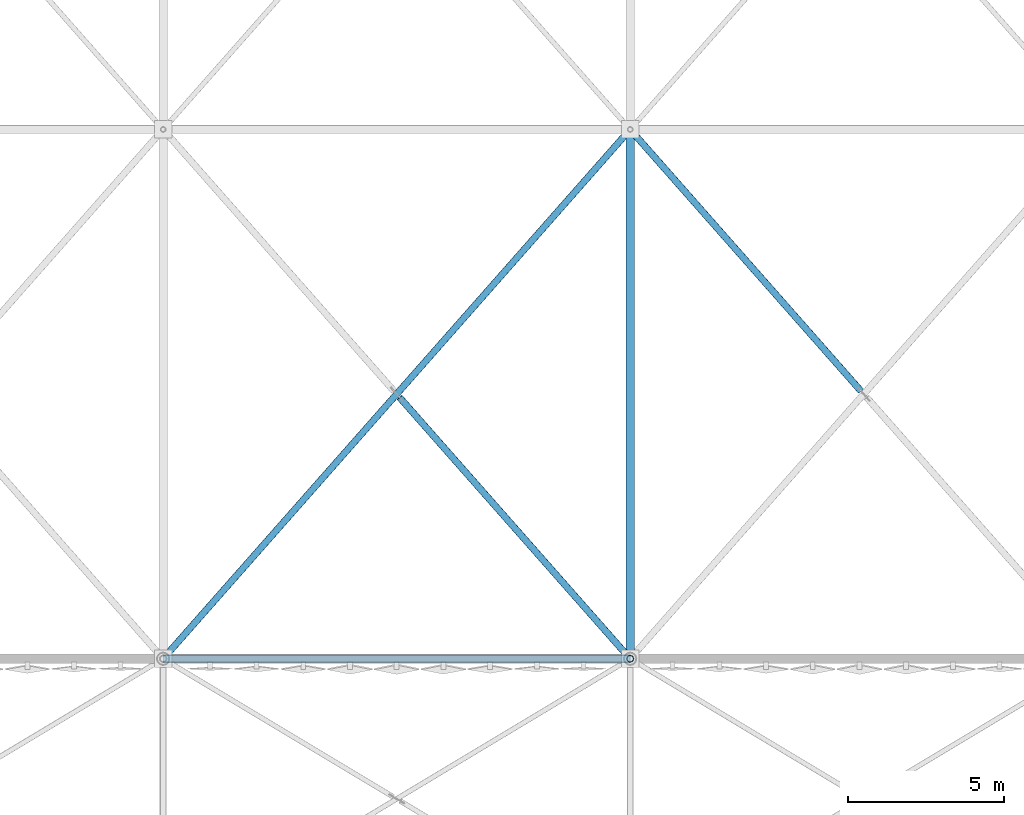
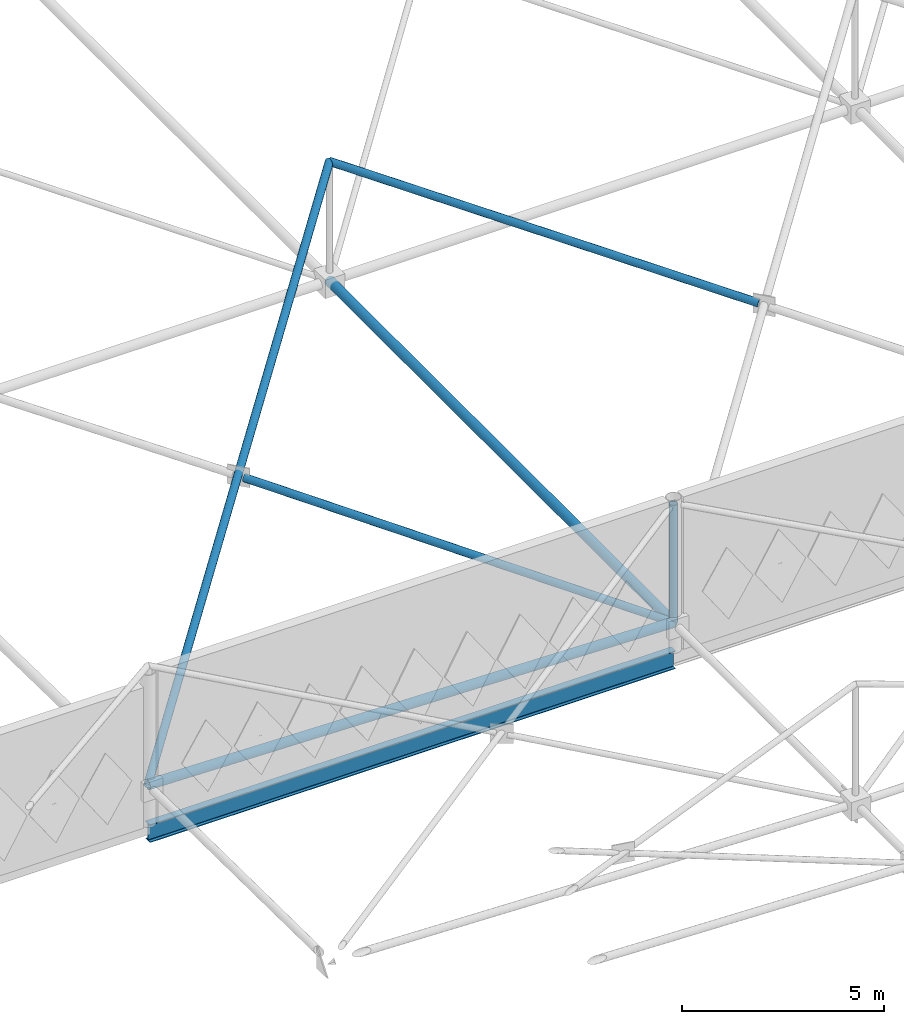
# One storey, part 29 of 224: 6 members, 1 beam.
"""IFC4 building model written with IfcOpenShell, lengths in metres."""

from ifc_helpers import new_model, si_unit, direction, frame, origin, origin_2d, place, context, subcontext, project, spatial, hollow_circle, i_section, extrude, material, material_profile, profile_set, type_object, element, save


model = new_model("IFC4")

# Units and contexts
model_context = context("Model", 3, precision=1e-05, world=origin(), true_north=direction((0.0, 1.0)))
body_context = subcontext(model_context, "Body", "Model", "MODEL_VIEW")
ifc_project = project(units=[si_unit("LENGTHUNIT", "METRE"), si_unit("AREAUNIT", "SQUARE_METRE"), si_unit("VOLUMEUNIT", "CUBIC_METRE"), si_unit("PLANEANGLEUNIT", "RADIAN"), si_unit("MASSUNIT", "GRAM", prefix="KILO")], contexts=[model_context])

# Site, building, storey
site_placement = place(None, origin())
site = spatial("IfcSite", under=ifc_project, at=site_placement, CompositionType="ELEMENT")
building_placement = place(site_placement, origin())
building = spatial("IfcBuilding", under=site, at=building_placement, Name="Qamarlyn Nura Convention Centre", CompositionType="ELEMENT")
storey_placement = place(building_placement, frame((0.0, 0.0, 10.800048828125)))
storey = spatial("IfcBuildingStorey", under=building, at=storey_placement, Name="L02", CompositionType="ELEMENT", Elevation=10.800048828125)

# Beam
ifc_material_1 = material(Name="Steel ASTM A992", Category="steel")
ifc_material_profile_1 = material_profile(ifc_material_1, i_section(OverallWidth=0.2109375, OverallDepth=0.5390625, WebThickness=0.01171875, FlangeThickness=0.018798828125, FilletRadius=0.013916015625, at=origin_2d()), Name="W530X109")
ifc_profile_set_1 = profile_set([ifc_material_profile_1], Name="Steel ASTM A992")
beam_type = type_object("IfcBeamType", Name="BM-SPAN-530", PredefinedType="SPANDREL", material=ifc_profile_set_1)
beam_placement = place(storey_placement, frame((30.0, 18.0, -0.26953125), z_axis=(1.0, 0.0, 0.0), x_axis=(0.0, 1.0, 0.0)))
element("IfcBeam", 1, at=beam_placement, inside=storey, type_object=beam_type, Name="L02 girder C 3-4", PredefinedType="SPANDREL", context=body_context, shape_type="SweptSolid", body=[
    extrude(i_section(OverallWidth=0.2109375, OverallDepth=0.5390625, WebThickness=0.01171875, FlangeThickness=0.018798828125, FilletRadius=0.013916015625, at=origin_2d()), origin(), (0.0, 0.0, 1.0), 15.0),
])

# Members
ifc_material_2 = material(Name="Pearl-white PVDF steel ASTM A500 Grade C", Category="steel")
ifc_material_profile_2 = material_profile(ifc_material_2, hollow_circle(Radius=0.136474609375, WallThickness=0.012451171875, at=origin_2d()), Name="CHS273X12.5")
ifc_profile_set_2 = profile_set([ifc_material_profile_2], Name="Pearl-white PVDF steel ASTM A500 Grade C")
member_type_1 = type_object("IfcMemberType", Name="SF-BC-MAIN", PredefinedType="CHORD", material=ifc_profile_set_2)
member_1_placement = place(storey_placement, frame((30.0, 18.0, 1.150634765625), z_axis=(0.999726977409, 0.0, -0.023366014641), x_axis=(0.0, 1.0, 0.0)))
element("IfcMember", 2, at=member_1_placement, inside=storey, type_object=member_type_1, Name="ROOF TRUSS space frame bottom chord X4-2", PredefinedType="CHORD", context=body_context, shape_type="SweptSolid", body=[
    extrude(hollow_circle(Radius=0.136474609375, WallThickness=0.012451171875, at=origin_2d()), origin(), (0.0, 0.0, 1.0), 15.004150390625),
])
member_2_placement = place(storey_placement, frame((45.0, 18.0, 0.800048828125), z_axis=(0.0, 1.0, 0.0), x_axis=(-1.0, 0.0, 0.0)))
element("IfcMember", 3, at=member_2_placement, inside=storey, type_object=member_type_1, Name="ROOF TRUSS space frame bottom chord Y5-2", PredefinedType="CHORD", context=body_context, shape_type="SweptSolid", body=[
    extrude(hollow_circle(Radius=0.136474609375, WallThickness=0.012451171875, at=origin_2d()), origin(), (0.0, 0.0, 1.0), 17.0),
])
ifc_material_profile_3 = material_profile(ifc_material_2, hollow_circle(Radius=0.109619140625, WallThickness=0.010009765625, at=origin_2d()), Name="CHS219.1X10")
ifc_profile_set_3 = profile_set([ifc_material_profile_3], Name="Pearl-white PVDF steel ASTM A500 Grade C")
member_type_2 = type_object("IfcMemberType", Name="SF-WEB-HVY", PredefinedType="BRACE", material=ifc_profile_set_3)
member_3_placement = place(storey_placement, frame((30.0, 18.0, 1.150634765625), z_axis=(0.654929585298, 0.742253530004, 0.141869431164), x_axis=(-0.749837855365, 0.661621637087, 0.0)))
element("IfcMember", 4, at=member_3_placement, inside=storey, type_object=member_type_2, Name="ROOF TRUSS space frame diagonal A 4-2", PredefinedType="BRACE", context=body_context, shape_type="SweptSolid", body=[
    extrude(hollow_circle(Radius=0.109619140625, WallThickness=0.010009765625, at=origin_2d()), origin(), (0.0, 0.0, 1.0), 22.9033203125),
])
member_4_placement = place(storey_placement, frame((45.0, 18.0, 0.800048828125), z_axis=(-0.652557385138, 0.73956503649, 0.164961861967), x_axis=(-0.749837855365, -0.661621637087, 0.0)))
element("IfcMember", 5, at=member_4_placement, inside=storey, type_object=member_type_2, Name="ROOF TRUSS space frame split diagonal B1 4-2", PredefinedType="BRACE", context=body_context, shape_type="SweptSolid", body=[
    extrude(hollow_circle(Radius=0.109619140625, WallThickness=0.010009765625, at=origin_2d()), origin(), (0.0, 0.0, 1.0), 11.35302734375),
])
member_5_placement = place(storey_placement, frame((45.0, 18.0, 0.800048828125), z_axis=(0.0, 0.0, 1.0), x_axis=(1.0, 0.0, 0.0)))
element("IfcMember", 6, at=member_5_placement, inside=storey, type_object=member_type_2, Name="ROOF TRUSS space frame vertical 5-2", PredefinedType="BRACE", context=body_context, shape_type="SweptSolid", body=[
    extrude(hollow_circle(Radius=0.109619140625, WallThickness=0.010009765625, at=origin_2d()), origin(), (0.0, 0.0, 1.0), 3.599853515625),
])
member_6_placement = place(storey_placement, frame((52.408447265625, 26.603759765625, 2.6220703125), z_axis=(-0.653436826791, 0.740561737029, 0.156807611557), x_axis=(-0.749837855365, -0.661621637087, 0.0)))
element("IfcMember", 7, at=member_6_placement, inside=storey, type_object=member_type_2, Name="ROOF TRUSS space frame split diagonal B2 5-2", PredefinedType="BRACE", context=body_context, shape_type="SweptSolid", body=[
    extrude(hollow_circle(Radius=0.109619140625, WallThickness=0.010009765625, at=origin_2d()), origin(), (0.0, 0.0, 1.0), 11.337646484375),
])

save(model, "model.ifc")
